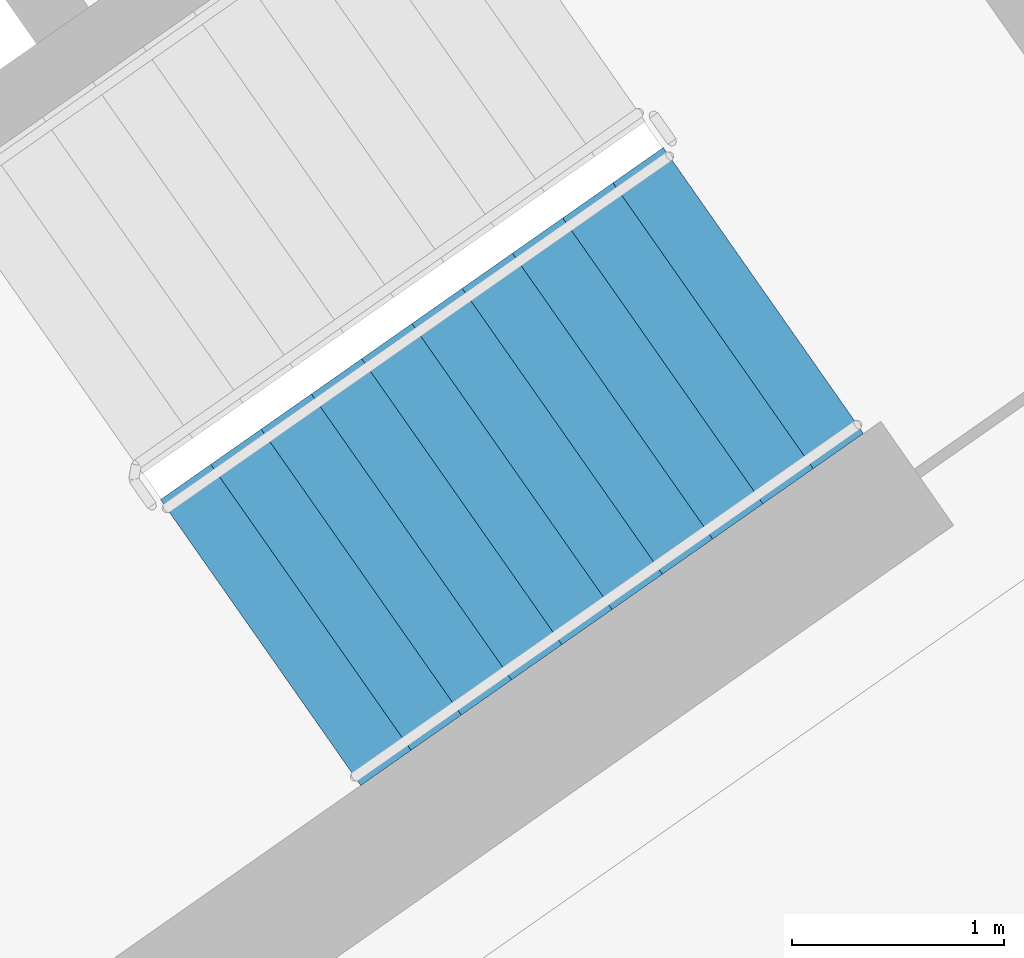
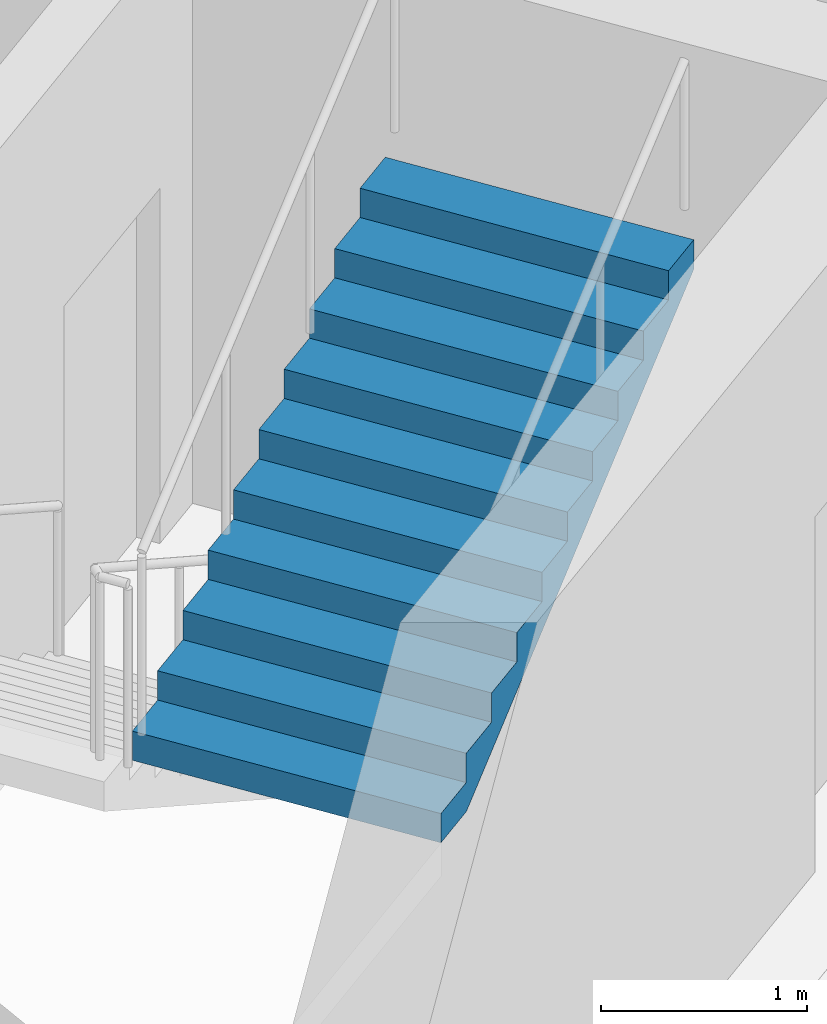
# One storey, part 13 of 28: 1 stair flight, 1 element without a shape of its own.
"""IFC4 building model written with IfcOpenShell, lengths in metres."""

from ifc_helpers import new_model, si_unit, direction, frame, origin, place, context, subcontext, project, spatial, faceted_brep, material, type_object, element, aggregate, save


model = new_model("IFC4")

# Units and contexts
model_context = context("Model", 3, precision=1e-05, world=origin(), true_north=direction((0.0, 1.0)))
body_context = subcontext(model_context, "Body", "Model", "MODEL_VIEW")
ifc_project = project(units=[si_unit("LENGTHUNIT", "METRE"), si_unit("AREAUNIT", "SQUARE_METRE"), si_unit("VOLUMEUNIT", "CUBIC_METRE"), si_unit("PLANEANGLEUNIT", "RADIAN"), si_unit("MASSUNIT", "GRAM", prefix="KILO")], contexts=[model_context])

# Site, building, storey
site_placement = place(None, origin())
site = spatial("IfcSite", under=ifc_project, at=site_placement, CompositionType="ELEMENT")
building_placement = place(site_placement, origin())
building = spatial("IfcBuilding", under=site, at=building_placement, Name="Qamariyya Broadcast Tower", CompositionType="ELEMENT")
storey_placement = place(building_placement, frame((0.0, 0.0, 265.699951171875)))
storey = spatial("IfcBuildingStorey", under=building, at=storey_placement, Name="L64", CompositionType="ELEMENT", Elevation=265.699951171875)

# Stair, stair flight
ifc_material = material(Name="Concrete C50/60", Category="concrete")
stair_type = type_object("IfcStairType", Name="Exit stair 22 risers of 173 mm", PredefinedType="HALF_TURN_STAIR", material=ifc_material)
stair_placement = place(storey_placement, origin())
stair = element("IfcStair", 1, at=stair_placement, inside=storey, type_object=stair_type, Name="L64 Stair E1", PredefinedType="HALF_TURN_STAIR")
stair_flight_type = type_object("IfcStairFlightType", Name="Exit stair flight 11 risers of 173 mm", PredefinedType="STRAIGHT", material=ifc_material)
stair_flight_placement = place(storey_placement, frame((44.693359375, -58.64599609375, 1.900146484375), z_axis=(0.0, 0.0, 1.0), x_axis=(0.819152044289, 0.573576436351, 0.0)))
stair_flight = element("IfcStairFlight", 2, at=stair_flight_placement, type_object=stair_flight_type, Name="ST-E1 flight 2", NumberOfRisers=11, NumberOfTreads=10, PredefinedType="STRAIGHT", RiserHeight=0.172727273, TreadLength=0.29, context=body_context, shape_type="Brep", body=[
    faceted_brep([(0.0, 0.824951171875, 0.0), (0.0, 0.824951171875, 0.172607421875), (0.2900390625, 0.824951171875, 0.172607421875), (0.2900390625, 0.824951171875, 0.345458984375), (0.580078125, 0.824951171875, 0.345458984375), (0.580078125, 0.824951171875, 0.51806640625), (0.8701171875, 0.824951171875, 0.51806640625), (0.8701171875, 0.824951171875, 0.69091796875), (1.159912109375, 0.824951171875, 0.69091796875), (1.159912109375, 0.824951171875, 0.863525390625), (1.449951171875, 0.824951171875, 0.863525390625), (1.449951171875, 0.824951171875, 1.036376953125), (1.739990234375, 0.824951171875, 1.036376953125), (1.739990234375, 0.824951171875, 1.208984375), (2.030029296875, 0.824951171875, 1.208984375), (2.030029296875, 0.824951171875, 1.3818359375), (2.320068359375, 0.824951171875, 1.3818359375), (2.320068359375, 0.824951171875, 1.554443359375), (2.610107421875, 0.824951171875, 1.554443359375), (2.610107421875, 0.824951171875, 1.727294921875), (2.89990234375, 0.824951171875, 1.727294921875), (2.89990234375, 0.824951171875, 1.552734375), (0.29296875, 0.824951171875, 0.0), (0.29296875, -0.824951171875, 0.0), (2.89990234375, -0.824951171875, 1.552734375), (2.89990234375, -0.824951171875, 1.727294921875), (2.610107421875, -0.824951171875, 1.727294921875), (2.610107421875, -0.824951171875, 1.554443359375), (2.320068359375, -0.824951171875, 1.554443359375), (2.320068359375, -0.824951171875, 1.3818359375), (2.030029296875, -0.824951171875, 1.3818359375), (2.030029296875, -0.824951171875, 1.208984375), (1.739990234375, -0.824951171875, 1.208984375), (1.739990234375, -0.824951171875, 1.036376953125), (1.449951171875, -0.824951171875, 1.036376953125), (1.449951171875, -0.824951171875, 0.863525390625), (1.159912109375, -0.824951171875, 0.863525390625), (1.159912109375, -0.824951171875, 0.69091796875), (0.8701171875, -0.824951171875, 0.69091796875), (0.8701171875, -0.824951171875, 0.51806640625), (0.580078125, -0.824951171875, 0.51806640625), (0.580078125, -0.824951171875, 0.345458984375), (0.2900390625, -0.824951171875, 0.345458984375), (0.2900390625, -0.824951171875, 0.172607421875), (0.0, -0.824951171875, 0.172607421875), (0.0, -0.824951171875, 0.0), (0.0, 0.10009765625, 0.0), (0.0, 0.086669921875, 0.0), (0.0, 0.0732421875, 0.0), (0.0, 0.06005859375, 0.0), (0.0, 0.046630859375, 0.0), (0.0, 0.033447265625, 0.0), (0.0, 0.02001953125, 0.0), (0.0, 0.006591796875, 0.0), (0.0, -0.006591796875, 0.0), (0.0, -0.02001953125, 0.0), (0.0, -0.033447265625, 0.0), (0.0, -0.046630859375, 0.0), (0.0, -0.06005859375, 0.0), (0.0, -0.0732421875, 0.0), (0.0, -0.086669921875, 0.0), (0.0, -0.10009765625, 0.0), (0.0, -0.10009765625, 0.172607421875), (0.0, -0.086669921875, 0.172607421875), (0.0, -0.0732421875, 0.172607421875), (0.0, -0.06005859375, 0.172607421875), (0.0, -0.046630859375, 0.172607421875), (0.0, -0.033447265625, 0.172607421875), (0.0, -0.02001953125, 0.172607421875), (0.0, -0.006591796875, 0.172607421875), (0.0, 0.006591796875, 0.172607421875), (0.0, 0.02001953125, 0.172607421875), (0.0, 0.033447265625, 0.172607421875), (0.0, 0.046630859375, 0.172607421875), (0.0, 0.06005859375, 0.172607421875), (0.0, 0.0732421875, 0.172607421875), (0.0, 0.086669921875, 0.172607421875), (0.0, 0.10009765625, 0.172607421875), (0.2900390625, -0.10009765625, 0.172607421875), (0.2900390625, -0.086669921875, 0.172607421875), (0.2900390625, -0.0732421875, 0.172607421875), (0.2900390625, -0.06005859375, 0.172607421875), (0.2900390625, -0.046630859375, 0.172607421875), (0.2900390625, -0.033447265625, 0.172607421875), (0.2900390625, -0.02001953125, 0.172607421875), (0.2900390625, -0.006591796875, 0.172607421875), (0.2900390625, 0.006591796875, 0.172607421875), (0.2900390625, 0.02001953125, 0.172607421875), (0.2900390625, 0.033447265625, 0.172607421875), (0.2900390625, 0.046630859375, 0.172607421875), (0.2900390625, 0.06005859375, 0.172607421875), (0.2900390625, 0.0732421875, 0.172607421875), (0.2900390625, 0.086669921875, 0.172607421875), (0.2900390625, 0.10009765625, 0.172607421875), (0.2900390625, -0.10009765625, 0.345458984375), (0.2900390625, -0.086669921875, 0.345458984375), (0.2900390625, -0.0732421875, 0.345458984375), (0.2900390625, -0.06005859375, 0.345458984375), (0.2900390625, -0.046630859375, 0.345458984375), (0.2900390625, -0.033447265625, 0.345458984375), (0.2900390625, -0.02001953125, 0.345458984375), (0.2900390625, -0.006591796875, 0.345458984375), (0.2900390625, 0.006591796875, 0.345458984375), (0.2900390625, 0.02001953125, 0.345458984375), (0.2900390625, 0.033447265625, 0.345458984375), (0.2900390625, 0.046630859375, 0.345458984375), (0.2900390625, 0.06005859375, 0.345458984375), (0.2900390625, 0.0732421875, 0.345458984375), (0.2900390625, 0.086669921875, 0.345458984375), (0.2900390625, 0.10009765625, 0.345458984375), (0.580078125, -0.10009765625, 0.345458984375), (0.580078125, -0.086669921875, 0.345458984375), (0.580078125, -0.0732421875, 0.345458984375), (0.580078125, -0.06005859375, 0.345458984375), (0.580078125, -0.046630859375, 0.345458984375), (0.580078125, -0.033447265625, 0.345458984375), (0.580078125, -0.02001953125, 0.345458984375), (0.580078125, -0.006591796875, 0.345458984375), (0.580078125, 0.006591796875, 0.345458984375), (0.580078125, 0.02001953125, 0.345458984375), (0.580078125, 0.033447265625, 0.345458984375), (0.580078125, 0.046630859375, 0.345458984375), (0.580078125, 0.06005859375, 0.345458984375), (0.580078125, 0.0732421875, 0.345458984375), (0.580078125, 0.086669921875, 0.345458984375), (0.580078125, 0.10009765625, 0.345458984375), (0.580078125, -0.10009765625, 0.51806640625), (0.580078125, -0.086669921875, 0.51806640625), (0.580078125, -0.0732421875, 0.51806640625), (0.580078125, -0.06005859375, 0.51806640625), (0.580078125, -0.046630859375, 0.51806640625), (0.580078125, -0.033447265625, 0.51806640625), (0.580078125, -0.02001953125, 0.51806640625), (0.580078125, -0.006591796875, 0.51806640625), (0.580078125, 0.006591796875, 0.51806640625), (0.580078125, 0.02001953125, 0.51806640625), (0.580078125, 0.033447265625, 0.51806640625), (0.580078125, 0.046630859375, 0.51806640625), (0.580078125, 0.06005859375, 0.51806640625), (0.580078125, 0.0732421875, 0.51806640625), (0.580078125, 0.086669921875, 0.51806640625), (0.580078125, 0.10009765625, 0.51806640625), (0.8701171875, -0.10009765625, 0.51806640625), (0.8701171875, -0.086669921875, 0.51806640625), (0.8701171875, -0.0732421875, 0.51806640625), (0.8701171875, -0.06005859375, 0.51806640625), (0.8701171875, -0.046630859375, 0.51806640625), (0.8701171875, -0.033447265625, 0.51806640625), (0.8701171875, -0.02001953125, 0.51806640625), (0.8701171875, -0.006591796875, 0.51806640625), (0.8701171875, 0.006591796875, 0.51806640625), (0.8701171875, 0.02001953125, 0.51806640625), (0.8701171875, 0.033447265625, 0.51806640625), (0.8701171875, 0.046630859375, 0.51806640625), (0.8701171875, 0.06005859375, 0.51806640625), (0.8701171875, 0.0732421875, 0.51806640625), (0.8701171875, 0.086669921875, 0.51806640625), (0.8701171875, 0.10009765625, 0.51806640625), (0.8701171875, -0.10009765625, 0.69091796875), (0.8701171875, -0.086669921875, 0.69091796875), (0.8701171875, -0.0732421875, 0.69091796875), (0.8701171875, -0.06005859375, 0.69091796875), (0.8701171875, -0.046630859375, 0.69091796875), (0.8701171875, -0.033447265625, 0.69091796875), (0.8701171875, -0.02001953125, 0.69091796875), (0.8701171875, -0.006591796875, 0.69091796875), (0.8701171875, 0.006591796875, 0.69091796875), (0.8701171875, 0.02001953125, 0.69091796875), (0.8701171875, 0.033447265625, 0.69091796875), (0.8701171875, 0.046630859375, 0.69091796875), (0.8701171875, 0.06005859375, 0.69091796875), (0.8701171875, 0.0732421875, 0.69091796875), (0.8701171875, 0.086669921875, 0.69091796875), (0.8701171875, 0.10009765625, 0.69091796875), (1.159912109375, -0.10009765625, 0.69091796875), (1.159912109375, -0.086669921875, 0.69091796875), (1.159912109375, -0.0732421875, 0.69091796875), (1.159912109375, -0.06005859375, 0.69091796875), (1.159912109375, -0.046630859375, 0.69091796875), (1.159912109375, -0.033447265625, 0.69091796875), (1.159912109375, -0.02001953125, 0.69091796875), (1.159912109375, -0.006591796875, 0.69091796875), (1.159912109375, 0.006591796875, 0.69091796875), (1.159912109375, 0.02001953125, 0.69091796875), (1.159912109375, 0.033447265625, 0.69091796875), (1.159912109375, 0.046630859375, 0.69091796875), (1.159912109375, 0.06005859375, 0.69091796875), (1.159912109375, 0.0732421875, 0.69091796875), (1.159912109375, 0.086669921875, 0.69091796875), (1.159912109375, 0.10009765625, 0.69091796875), (1.159912109375, -0.10009765625, 0.863525390625), (1.159912109375, -0.086669921875, 0.863525390625), (1.159912109375, -0.0732421875, 0.863525390625), (1.159912109375, -0.06005859375, 0.863525390625), (1.159912109375, -0.046630859375, 0.863525390625), (1.159912109375, -0.033447265625, 0.863525390625), (1.159912109375, -0.02001953125, 0.863525390625), (1.159912109375, -0.006591796875, 0.863525390625), (1.159912109375, 0.006591796875, 0.863525390625), (1.159912109375, 0.02001953125, 0.863525390625), (1.159912109375, 0.033447265625, 0.863525390625), (1.159912109375, 0.046630859375, 0.863525390625), (1.159912109375, 0.06005859375, 0.863525390625), (1.159912109375, 0.0732421875, 0.863525390625), (1.159912109375, 0.086669921875, 0.863525390625), (1.159912109375, 0.10009765625, 0.863525390625), (1.449951171875, -0.10009765625, 0.863525390625), (1.449951171875, -0.086669921875, 0.863525390625), (1.449951171875, -0.0732421875, 0.863525390625), (1.449951171875, -0.06005859375, 0.863525390625), (1.449951171875, -0.046630859375, 0.863525390625), (1.449951171875, -0.033447265625, 0.863525390625), (1.449951171875, -0.02001953125, 0.863525390625), (1.449951171875, -0.006591796875, 0.863525390625), (1.449951171875, 0.006591796875, 0.863525390625), (1.449951171875, 0.02001953125, 0.863525390625), (1.449951171875, 0.033447265625, 0.863525390625), (1.449951171875, 0.046630859375, 0.863525390625), (1.449951171875, 0.06005859375, 0.863525390625), (1.449951171875, 0.0732421875, 0.863525390625), (1.449951171875, 0.086669921875, 0.863525390625), (1.449951171875, 0.10009765625, 0.863525390625), (1.449951171875, -0.10009765625, 1.036376953125), (1.449951171875, -0.086669921875, 1.036376953125), (1.449951171875, -0.0732421875, 1.036376953125), (1.449951171875, -0.06005859375, 1.036376953125), (1.449951171875, -0.046630859375, 1.036376953125), (1.449951171875, -0.033447265625, 1.036376953125), (1.449951171875, -0.02001953125, 1.036376953125), (1.449951171875, -0.006591796875, 1.036376953125), (1.449951171875, 0.006591796875, 1.036376953125), (1.449951171875, 0.02001953125, 1.036376953125), (1.449951171875, 0.033447265625, 1.036376953125), (1.449951171875, 0.046630859375, 1.036376953125), (1.449951171875, 0.06005859375, 1.036376953125), (1.449951171875, 0.0732421875, 1.036376953125), (1.449951171875, 0.086669921875, 1.036376953125), (1.449951171875, 0.10009765625, 1.036376953125), (1.739990234375, -0.10009765625, 1.036376953125), (1.739990234375, -0.086669921875, 1.036376953125), (1.739990234375, -0.0732421875, 1.036376953125), (1.739990234375, -0.06005859375, 1.036376953125), (1.739990234375, -0.046630859375, 1.036376953125), (1.739990234375, -0.033447265625, 1.036376953125), (1.739990234375, -0.02001953125, 1.036376953125), (1.739990234375, -0.006591796875, 1.036376953125), (1.739990234375, 0.006591796875, 1.036376953125), (1.739990234375, 0.02001953125, 1.036376953125), (1.739990234375, 0.033447265625, 1.036376953125), (1.739990234375, 0.046630859375, 1.036376953125), (1.739990234375, 0.06005859375, 1.036376953125), (1.739990234375, 0.0732421875, 1.036376953125), (1.739990234375, 0.086669921875, 1.036376953125), (1.739990234375, 0.10009765625, 1.036376953125), (1.739990234375, -0.10009765625, 1.208984375), (1.739990234375, -0.086669921875, 1.208984375), (1.739990234375, -0.0732421875, 1.208984375), (1.739990234375, -0.06005859375, 1.208984375), (1.739990234375, -0.046630859375, 1.208984375), (1.739990234375, -0.033447265625, 1.208984375), (1.739990234375, -0.02001953125, 1.208984375), (1.739990234375, -0.006591796875, 1.208984375), (1.739990234375, 0.006591796875, 1.208984375), (1.739990234375, 0.02001953125, 1.208984375), (1.739990234375, 0.033447265625, 1.208984375), (1.739990234375, 0.046630859375, 1.208984375), (1.739990234375, 0.06005859375, 1.208984375), (1.739990234375, 0.0732421875, 1.208984375), (1.739990234375, 0.086669921875, 1.208984375), (1.739990234375, 0.10009765625, 1.208984375), (2.030029296875, -0.10009765625, 1.208984375), (2.030029296875, -0.086669921875, 1.208984375), (2.030029296875, -0.0732421875, 1.208984375), (2.030029296875, -0.06005859375, 1.208984375), (2.030029296875, -0.046630859375, 1.208984375), (2.030029296875, -0.033447265625, 1.208984375), (2.030029296875, -0.02001953125, 1.208984375), (2.030029296875, -0.006591796875, 1.208984375), (2.030029296875, 0.006591796875, 1.208984375), (2.030029296875, 0.02001953125, 1.208984375), (2.030029296875, 0.033447265625, 1.208984375), (2.030029296875, 0.046630859375, 1.208984375), (2.030029296875, 0.06005859375, 1.208984375), (2.030029296875, 0.0732421875, 1.208984375), (2.030029296875, 0.086669921875, 1.208984375), (2.030029296875, 0.10009765625, 1.208984375), (2.030029296875, -0.10009765625, 1.3818359375), (2.030029296875, -0.086669921875, 1.3818359375), (2.030029296875, -0.0732421875, 1.3818359375), (2.030029296875, -0.06005859375, 1.3818359375), (2.030029296875, -0.046630859375, 1.3818359375), (2.030029296875, -0.033447265625, 1.3818359375), (2.030029296875, -0.02001953125, 1.3818359375), (2.030029296875, -0.006591796875, 1.3818359375), (2.030029296875, 0.006591796875, 1.3818359375), (2.030029296875, 0.02001953125, 1.3818359375), (2.030029296875, 0.033447265625, 1.3818359375), (2.030029296875, 0.046630859375, 1.3818359375), (2.030029296875, 0.06005859375, 1.3818359375), (2.030029296875, 0.0732421875, 1.3818359375), (2.030029296875, 0.086669921875, 1.3818359375), (2.030029296875, 0.10009765625, 1.3818359375), (2.320068359375, -0.10009765625, 1.3818359375), (2.320068359375, -0.086669921875, 1.3818359375), (2.320068359375, -0.0732421875, 1.3818359375), (2.320068359375, -0.06005859375, 1.3818359375), (2.320068359375, -0.046630859375, 1.3818359375), (2.320068359375, -0.033447265625, 1.3818359375), (2.320068359375, -0.02001953125, 1.3818359375), (2.320068359375, -0.006591796875, 1.3818359375), (2.320068359375, 0.006591796875, 1.3818359375), (2.320068359375, 0.02001953125, 1.3818359375), (2.320068359375, 0.033447265625, 1.3818359375), (2.320068359375, 0.046630859375, 1.3818359375), (2.320068359375, 0.06005859375, 1.3818359375), (2.320068359375, 0.0732421875, 1.3818359375), (2.320068359375, 0.086669921875, 1.3818359375), (2.320068359375, 0.10009765625, 1.3818359375), (2.320068359375, -0.10009765625, 1.554443359375), (2.320068359375, -0.086669921875, 1.554443359375), (2.320068359375, -0.0732421875, 1.554443359375), (2.320068359375, -0.06005859375, 1.554443359375), (2.320068359375, -0.046630859375, 1.554443359375), (2.320068359375, -0.033447265625, 1.554443359375), (2.320068359375, -0.02001953125, 1.554443359375), (2.320068359375, -0.006591796875, 1.554443359375), (2.320068359375, 0.006591796875, 1.554443359375), (2.320068359375, 0.02001953125, 1.554443359375), (2.320068359375, 0.033447265625, 1.554443359375), (2.320068359375, 0.046630859375, 1.554443359375), (2.320068359375, 0.06005859375, 1.554443359375), (2.320068359375, 0.0732421875, 1.554443359375), (2.320068359375, 0.086669921875, 1.554443359375), (2.320068359375, 0.10009765625, 1.554443359375), (2.610107421875, -0.10009765625, 1.554443359375), (2.610107421875, -0.086669921875, 1.554443359375), (2.610107421875, -0.0732421875, 1.554443359375), (2.610107421875, -0.06005859375, 1.554443359375), (2.610107421875, -0.046630859375, 1.554443359375), (2.610107421875, -0.033447265625, 1.554443359375), (2.610107421875, -0.02001953125, 1.554443359375), (2.610107421875, -0.006591796875, 1.554443359375), (2.610107421875, 0.006591796875, 1.554443359375), (2.610107421875, 0.02001953125, 1.554443359375), (2.610107421875, 0.033447265625, 1.554443359375), (2.610107421875, 0.046630859375, 1.554443359375), (2.610107421875, 0.06005859375, 1.554443359375), (2.610107421875, 0.0732421875, 1.554443359375), (2.610107421875, 0.086669921875, 1.554443359375), (2.610107421875, 0.10009765625, 1.554443359375), (2.610107421875, -0.10009765625, 1.727294921875), (2.610107421875, -0.086669921875, 1.727294921875), (2.610107421875, -0.0732421875, 1.727294921875), (2.610107421875, -0.06005859375, 1.727294921875), (2.610107421875, -0.046630859375, 1.727294921875), (2.610107421875, -0.033447265625, 1.727294921875), (2.610107421875, -0.02001953125, 1.727294921875), (2.610107421875, -0.006591796875, 1.727294921875), (2.610107421875, 0.006591796875, 1.727294921875), (2.610107421875, 0.02001953125, 1.727294921875), (2.610107421875, 0.033447265625, 1.727294921875), (2.610107421875, 0.046630859375, 1.727294921875), (2.610107421875, 0.06005859375, 1.727294921875), (2.610107421875, 0.0732421875, 1.727294921875), (2.610107421875, 0.086669921875, 1.727294921875), (2.610107421875, 0.10009765625, 1.727294921875), (2.89990234375, -0.10009765625, 1.727294921875), (2.89990234375, -0.086669921875, 1.727294921875), (2.89990234375, -0.0732421875, 1.727294921875), (2.89990234375, -0.06005859375, 1.727294921875), (2.89990234375, -0.046630859375, 1.727294921875), (2.89990234375, -0.033447265625, 1.727294921875), (2.89990234375, -0.02001953125, 1.727294921875), (2.89990234375, -0.006591796875, 1.727294921875), (2.89990234375, 0.006591796875, 1.727294921875), (2.89990234375, 0.02001953125, 1.727294921875), (2.89990234375, 0.033447265625, 1.727294921875), (2.89990234375, 0.046630859375, 1.727294921875), (2.89990234375, 0.06005859375, 1.727294921875), (2.89990234375, 0.0732421875, 1.727294921875), (2.89990234375, 0.086669921875, 1.727294921875), (2.89990234375, 0.10009765625, 1.727294921875), (2.89990234375, -0.10009765625, 1.552734375), (2.89990234375, -0.086669921875, 1.552734375), (2.89990234375, -0.0732421875, 1.552734375), (2.89990234375, -0.06005859375, 1.552734375), (2.89990234375, -0.046630859375, 1.552734375), (2.89990234375, -0.033447265625, 1.552734375), (2.89990234375, -0.02001953125, 1.552734375), (2.89990234375, -0.006591796875, 1.552734375), (2.89990234375, 0.006591796875, 1.552734375), (2.89990234375, 0.02001953125, 1.552734375), (2.89990234375, 0.033447265625, 1.552734375), (2.89990234375, 0.046630859375, 1.552734375), (2.89990234375, 0.06005859375, 1.552734375), (2.89990234375, 0.0732421875, 1.552734375), (2.89990234375, 0.086669921875, 1.552734375), (2.89990234375, 0.10009765625, 1.552734375), (0.29296875, -0.10009765625, 0.0), (0.29296875, -0.086669921875, 0.0), (0.29296875, -0.0732421875, 0.0), (0.29296875, -0.06005859375, 0.0), (0.29296875, -0.046630859375, 0.0), (0.29296875, -0.033447265625, 0.0), (0.29296875, -0.02001953125, 0.0), (0.29296875, -0.006591796875, 0.0), (0.29296875, 0.006591796875, 0.0), (0.29296875, 0.02001953125, 0.0), (0.29296875, 0.033447265625, 0.0), (0.29296875, 0.046630859375, 0.0), (0.29296875, 0.06005859375, 0.0), (0.29296875, 0.0732421875, 0.0), (0.29296875, 0.086669921875, 0.0), (0.29296875, 0.10009765625, 0.0)], [[[0, 1, 2, 3, 4, 5, 6, 7, 8, 9, 10, 11, 12, 13, 14, 15, 16, 17, 18, 19, 20, 21, 22]], [[23, 24, 25, 26, 27, 28, 29, 30, 31, 32, 33, 34, 35, 36, 37, 38, 39, 40, 41, 42, 43, 44, 45]], [[0, 46, 47, 48, 49, 50, 51, 52, 53, 54, 55, 56, 57, 58, 59, 60, 61, 45, 44, 62, 63, 64, 65, 66, 67, 68, 69, 70, 71, 72, 73, 74, 75, 76, 77, 1]], [[1, 77, 76, 75, 74, 73, 72, 71, 70, 69, 68, 67, 66, 65, 64, 63, 62, 44, 43, 78, 79, 80, 81, 82, 83, 84, 85, 86, 87, 88, 89, 90, 91, 92, 93, 2]], [[2, 93, 92, 91, 90, 89, 88, 87, 86, 85, 84, 83, 82, 81, 80, 79, 78, 43, 42, 94, 95, 96, 97, 98, 99, 100, 101, 102, 103, 104, 105, 106, 107, 108, 109, 3]], [[3, 109, 108, 107, 106, 105, 104, 103, 102, 101, 100, 99, 98, 97, 96, 95, 94, 42, 41, 110, 111, 112, 113, 114, 115, 116, 117, 118, 119, 120, 121, 122, 123, 124, 125, 4]], [[4, 125, 124, 123, 122, 121, 120, 119, 118, 117, 116, 115, 114, 113, 112, 111, 110, 41, 40, 126, 127, 128, 129, 130, 131, 132, 133, 134, 135, 136, 137, 138, 139, 140, 141, 5]], [[5, 141, 140, 139, 138, 137, 136, 135, 134, 133, 132, 131, 130, 129, 128, 127, 126, 40, 39, 142, 143, 144, 145, 146, 147, 148, 149, 150, 151, 152, 153, 154, 155, 156, 157, 6]], [[6, 157, 156, 155, 154, 153, 152, 151, 150, 149, 148, 147, 146, 145, 144, 143, 142, 39, 38, 158, 159, 160, 161, 162, 163, 164, 165, 166, 167, 168, 169, 170, 171, 172, 173, 7]], [[7, 173, 172, 171, 170, 169, 168, 167, 166, 165, 164, 163, 162, 161, 160, 159, 158, 38, 37, 174, 175, 176, 177, 178, 179, 180, 181, 182, 183, 184, 185, 186, 187, 188, 189, 8]], [[8, 189, 188, 187, 186, 185, 184, 183, 182, 181, 180, 179, 178, 177, 176, 175, 174, 37, 36, 190, 191, 192, 193, 194, 195, 196, 197, 198, 199, 200, 201, 202, 203, 204, 205, 9]], [[9, 205, 204, 203, 202, 201, 200, 199, 198, 197, 196, 195, 194, 193, 192, 191, 190, 36, 35, 206, 207, 208, 209, 210, 211, 212, 213, 214, 215, 216, 217, 218, 219, 220, 221, 10]], [[10, 221, 220, 219, 218, 217, 216, 215, 214, 213, 212, 211, 210, 209, 208, 207, 206, 35, 34, 222, 223, 224, 225, 226, 227, 228, 229, 230, 231, 232, 233, 234, 235, 236, 237, 11]], [[11, 237, 236, 235, 234, 233, 232, 231, 230, 229, 228, 227, 226, 225, 224, 223, 222, 34, 33, 238, 239, 240, 241, 242, 243, 244, 245, 246, 247, 248, 249, 250, 251, 252, 253, 12]], [[12, 253, 252, 251, 250, 249, 248, 247, 246, 245, 244, 243, 242, 241, 240, 239, 238, 33, 32, 254, 255, 256, 257, 258, 259, 260, 261, 262, 263, 264, 265, 266, 267, 268, 269, 13]], [[13, 269, 268, 267, 266, 265, 264, 263, 262, 261, 260, 259, 258, 257, 256, 255, 254, 32, 31, 270, 271, 272, 273, 274, 275, 276, 277, 278, 279, 280, 281, 282, 283, 284, 285, 14]], [[14, 285, 284, 283, 282, 281, 280, 279, 278, 277, 276, 275, 274, 273, 272, 271, 270, 31, 30, 286, 287, 288, 289, 290, 291, 292, 293, 294, 295, 296, 297, 298, 299, 300, 301, 15]], [[15, 301, 300, 299, 298, 297, 296, 295, 294, 293, 292, 291, 290, 289, 288, 287, 286, 30, 29, 302, 303, 304, 305, 306, 307, 308, 309, 310, 311, 312, 313, 314, 315, 316, 317, 16]], [[16, 317, 316, 315, 314, 313, 312, 311, 310, 309, 308, 307, 306, 305, 304, 303, 302, 29, 28, 318, 319, 320, 321, 322, 323, 324, 325, 326, 327, 328, 329, 330, 331, 332, 333, 17]], [[17, 333, 332, 331, 330, 329, 328, 327, 326, 325, 324, 323, 322, 321, 320, 319, 318, 28, 27, 334, 335, 336, 337, 338, 339, 340, 341, 342, 343, 344, 345, 346, 347, 348, 349, 18]], [[18, 349, 348, 347, 346, 345, 344, 343, 342, 341, 340, 339, 338, 337, 336, 335, 334, 27, 26, 350, 351, 352, 353, 354, 355, 356, 357, 358, 359, 360, 361, 362, 363, 364, 365, 19]], [[19, 365, 364, 363, 362, 361, 360, 359, 358, 357, 356, 355, 354, 353, 352, 351, 350, 26, 25, 366, 367, 368, 369, 370, 371, 372, 373, 374, 375, 376, 377, 378, 379, 380, 381, 20]], [[20, 381, 380, 379, 378, 377, 376, 375, 374, 373, 372, 371, 370, 369, 368, 367, 366, 25, 24, 382, 383, 384, 385, 386, 387, 388, 389, 390, 391, 392, 393, 394, 395, 396, 397, 21]], [[21, 397, 396, 395, 394, 393, 392, 391, 390, 389, 388, 387, 386, 385, 384, 383, 382, 24, 23, 398, 399, 400, 401, 402, 403, 404, 405, 406, 407, 408, 409, 410, 411, 412, 413, 22]], [[22, 413, 412, 411, 410, 409, 408, 407, 406, 405, 404, 403, 402, 401, 400, 399, 398, 23, 45, 61, 60, 59, 58, 57, 56, 55, 54, 53, 52, 51, 50, 49, 48, 47, 46, 0]]]),
])
aggregate(stair, [stair_flight])

save(model, "model.ifc")
